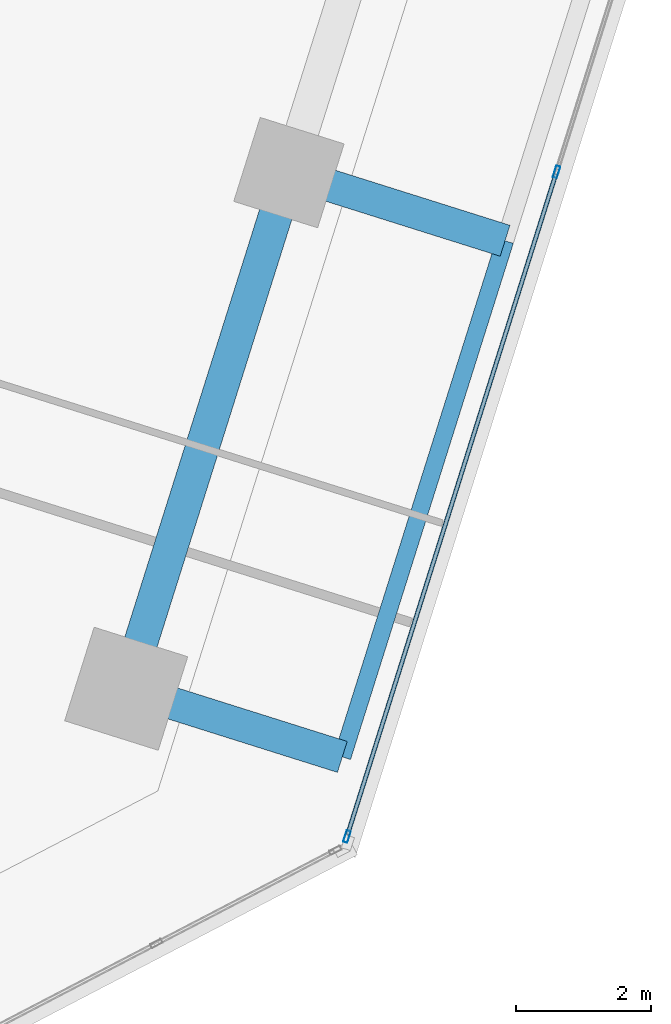
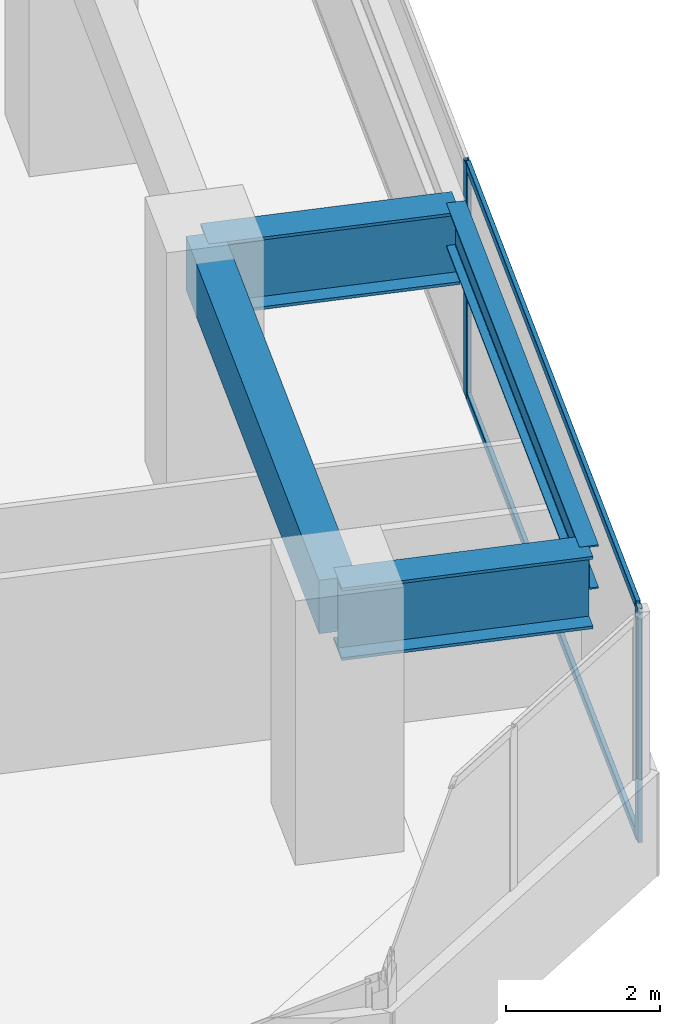
# One storey, part 9 of 28: 4 beams, 4 members, 1 element without a shape of its own.
"""IFC4 building model written with IfcOpenShell, lengths in metres."""

from ifc_helpers import new_model, si_unit, direction, frame, origin, origin_2d, place, context, subcontext, project, spatial, rectangle, hollow_rectangle, i_section, extrude, source, transform, mapped, material, material_profile, profile_set, type_object, element, aggregate, save


model = new_model("IFC4")

# Units and contexts
model_context = context("Model", 3, precision=1e-05, world=origin(), true_north=direction((0.0, 1.0)))
body_context = subcontext(model_context, "Body", "Model", "MODEL_VIEW")
ifc_project = project(units=[si_unit("LENGTHUNIT", "METRE"), si_unit("AREAUNIT", "SQUARE_METRE"), si_unit("VOLUMEUNIT", "CUBIC_METRE"), si_unit("PLANEANGLEUNIT", "RADIAN"), si_unit("MASSUNIT", "GRAM", prefix="KILO")], contexts=[model_context])

# Site, building, storey
site_placement = place(None, origin())
site = spatial("IfcSite", under=ifc_project, at=site_placement, CompositionType="ELEMENT")
building_placement = place(site_placement, origin())
building = spatial("IfcBuilding", under=site, at=building_placement, Name="Torre Montelarca", CompositionType="ELEMENT")
storey_placement = place(building_placement, frame((0.0, 0.0, 112.60009765625)))
storey = spatial("IfcBuildingStorey", under=building, at=storey_placement, Name="L25", CompositionType="ELEMENT", Elevation=112.60009765625)

# Beams
ifc_material_1 = material(Name="Concrete C55/67", Category="concrete")
ifc_material_profile_1 = material_profile(ifc_material_1, rectangle(XDim=0.5, YDim=0.85009765625, at=origin_2d()), Name="RCB500X850", Category="concrete")
ifc_profile_set_1 = profile_set([ifc_material_profile_1], Name="Concrete C55/67")
beam_type_1 = type_object("IfcBeamType", Name="BM-SP-RC850-EXT", PredefinedType="SPANDREL", material=ifc_profile_set_1)
shared_shape_1 = source(origin(), body_context, "Body", "SweptSolid", [
    extrude(rectangle(XDim=0.5, YDim=0.85009765625, at=origin_2d()), origin(), (0.0, 0.0, 1.0), 7.999755859375),
])
beam_1_placement = place(storey_placement, frame((55.8125, 12.793212890625, 3.534912109375), z_axis=(0.300694628035, 0.953720473027, 0.0), x_axis=(-0.953720473027, 0.300694628035, 0.0)))
element("IfcBeam", 1, at=beam_1_placement, inside=storey, type_object=beam_type_1, Name="L25 Grid Girder Y 24.0-32.0 at X=60.0", PredefinedType="SPANDREL", context=body_context, shape_type="MappedRepresentation", body=[
    mapped(shared_shape_1, transform((0.0, 0.0, 0.0), scale=1.0)),
])
ifc_material_2 = material(Name="Steel ASTM A572 Grade 50", Category="steel")
ifc_material_profile_2 = material_profile(ifc_material_2, i_section(OverallWidth=0.47998046875, OverallDepth=1.14990234375, WebThickness=0.02197265625, FlangeThickness=0.044921875, at=origin_2d()), Name="PG1150X480X22X45", Category="steel")
ifc_profile_set_2 = profile_set([ifc_material_profile_2], Name="Steel ASTM A572 Grade 50")
beam_type_2 = type_object("IfcBeamType", Name="BM-CG-PG1400-EXT", PredefinedType="USERDEFINED", material=ifc_profile_set_2)
shared_shape_2 = source(origin(), body_context, "Body", "SweptSolid", [
    extrude(i_section(OverallWidth=0.47998046875, OverallDepth=1.14990234375, WebThickness=0.02197265625, FlangeThickness=0.044921875, at=origin_2d()), origin(), (0.0, 0.0, 1.0), 3.349853515625),
])
beam_2_placement = place(storey_placement, frame((55.8125, 12.793212890625, 3.385009765625), z_axis=(0.953696046555, -0.3007720911, 0.0), x_axis=(0.3007720911, 0.953696046555, 0.0)))
element("IfcBeam", 2, at=beam_2_placement, inside=storey, type_object=beam_type_2, Name="L25 Sliding Tray Cantilever Girder East Y=24m (FLR)", ObjectType="CANTILEVER GIRDER", PredefinedType="USERDEFINED", context=body_context, shape_type="MappedRepresentation", body=[
    mapped(shared_shape_2, transform((0.0, 0.0, 0.0), scale=1.0)),
])
shared_shape_3 = source(origin(), body_context, "Body", "SweptSolid", [
    extrude(i_section(OverallWidth=0.47998046875, OverallDepth=1.14990234375, WebThickness=0.02197265625, FlangeThickness=0.044921875, at=origin_2d()), origin(), (0.0, 0.0, 1.0), 3.35009765625),
])
beam_3_placement = place(storey_placement, frame((58.218017578125, 20.4228515625, 3.385009765625), z_axis=(0.953723539206, -0.300684902786, 0.0), x_axis=(0.300684902786, 0.953723539206, 0.0)))
element("IfcBeam", 3, at=beam_3_placement, inside=storey, type_object=beam_type_2, Name="L25 Sliding Tray Cantilever Girder East Y=32m (FLR)", ObjectType="CANTILEVER GIRDER", PredefinedType="USERDEFINED", context=body_context, shape_type="MappedRepresentation", body=[
    mapped(shared_shape_3, transform((0.0, 0.0, 0.0), scale=1.0)),
])
ifc_material_3 = material(Name="Steel ASTM A992 Grade 50", Category="steel")
ifc_material_profile_3 = material_profile(ifc_material_3, i_section(OverallWidth=0.256103515625, OverallDepth=0.693115234375, WebThickness=0.014404296875, FlangeThickness=0.023681640625, FilletRadius=0.01806640625, at=origin_2d()), Name="W690X170", Category="steel")
ifc_profile_set_3 = profile_set([ifc_material_profile_3], Name="Steel ASTM A992 Grade 50")
beam_type_3 = type_object("IfcBeamType", Name="BM-G-W690-EXT", PredefinedType="BEAM", material=ifc_profile_set_3)
shared_shape_4 = source(origin(), body_context, "Body", "SweptSolid", [
    extrude(i_section(OverallWidth=0.256103515625, OverallDepth=0.693115234375, WebThickness=0.014404296875, FlangeThickness=0.023681640625, FilletRadius=0.01806640625, at=origin_2d()), origin(), (0.0, 0.0, 1.0), 8.000244140625),
])
beam_4_placement = place(storey_placement, frame((59.00732421875, 11.78564453125, 3.614013671875), z_axis=(0.300713634033, 0.953714480495, 0.0), x_axis=(-0.953714480495, 0.300713634033, 0.0)))
element("IfcBeam", 4, at=beam_4_placement, inside=storey, type_object=beam_type_3, Name="L25 Sliding Tray Edge Girder East 24-32m (FLR)", PredefinedType="BEAM", context=body_context, shape_type="MappedRepresentation", body=[
    mapped(shared_shape_4, transform((0.0, 0.0, 0.0), scale=1.0)),
])

# Curtain wall, members
ifc_material_4 = material(Name="Insulated low-E laminated glass", Category="glass")
curtain_wall_type = type_object("IfcCurtainWallType", Name="CW-SYS-Z1", PredefinedType="USERDEFINED", material=ifc_material_4)
curtain_wall_placement = place(storey_placement, origin())
curtain_wall = element("IfcCurtainWall", 5, at=curtain_wall_placement, inside=storey, type_object=curtain_wall_type, Name="L25 Curtain Wall Run CW-T3-L25-E06-B1", ObjectType="UNITISED GLAZING", PredefinedType="USERDEFINED")
ifc_material_5 = material(Name="Anodised aluminium AA 6063-T6", Category="aluminium")
ifc_material_profile_4 = material_profile(ifc_material_5, hollow_rectangle(XDim=0.06494140625, YDim=0.139892578125, WallThickness=0.00390625, InnerFilletRadius=0.00390625, OuterFilletRadius=0.008056640625, at=origin_2d()), Name="ALU65X140X4", Category="aluminium")
ifc_profile_set_4 = profile_set([ifc_material_profile_4], Name="Anodised aluminium AA 6063-T6")
member_type_1 = type_object("IfcMemberType", Name="CWT-ALU140", PredefinedType="USERDEFINED", material=ifc_profile_set_4)
shared_shape_5 = source(origin(), body_context, "Body", "SweptSolid", [
    extrude(hollow_rectangle(XDim=0.06494140625, YDim=0.139892578125, WallThickness=0.00390625, InnerFilletRadius=0.00390625, OuterFilletRadius=0.008056640625, at=origin_2d()), origin(), (0.0, 0.0, 1.0), 10.23681640625),
])
member_1_placement = place(storey_placement, frame((59.08642578125, 10.6396484375, 0.032470703125), z_axis=(0.300717008856, 0.953713416381, 0.0), x_axis=(-0.953713416381, 0.300717008856, 0.0)))
member_1 = element("IfcMember", 6, at=member_1_placement, type_object=member_type_1, Name="CW transom 1.1", ObjectType="TRANSOM", PredefinedType="USERDEFINED", context=body_context, shape_type="MappedRepresentation", body=[
    mapped(shared_shape_5, transform((0.0, 0.0, 0.0), scale=1.0)),
])
member_2_placement = place(storey_placement, frame((59.08642578125, 10.6396484375, 3.6875), z_axis=(0.300717008856, 0.953713416381, 0.0), x_axis=(-0.953713416381, 0.300717008856, 0.0)))
member_2 = element("IfcMember", 7, at=member_2_placement, type_object=member_type_1, Name="CW transom 1.2", ObjectType="TRANSOM", PredefinedType="USERDEFINED", context=body_context, shape_type="MappedRepresentation", body=[
    mapped(shared_shape_5, transform((0.0, 0.0, 0.0), scale=1.0)),
])
ifc_material_profile_5 = material_profile(ifc_material_5, hollow_rectangle(XDim=0.06494140625, YDim=0.179931640625, WallThickness=0.00390625, InnerFilletRadius=0.00390625, OuterFilletRadius=0.008056640625, at=origin_2d()), Name="ALU65X180X4", Category="aluminium")
ifc_profile_set_5 = profile_set([ifc_material_profile_5], Name="Anodised aluminium AA 6063-T6")
member_type_2 = type_object("IfcMemberType", Name="CWM-ALU180", PredefinedType="MULLION", material=ifc_profile_set_5)
shared_shape_6 = source(origin(), body_context, "Body", "SweptSolid", [
    extrude(hollow_rectangle(XDim=0.06494140625, YDim=0.179931640625, WallThickness=0.00390625, InnerFilletRadius=0.00390625, OuterFilletRadius=0.008056640625, at=origin_2d()), origin(), (0.0, 0.0, 1.0), 3.719970703125),
])
member_3_placement = place(storey_placement, frame((59.07666015625, 10.608642578125, 0.0), z_axis=(0.0, 0.0, 1.0), x_axis=(-0.95371704325, 0.300705506127, 0.0)))
member_3 = element("IfcMember", 8, at=member_3_placement, type_object=member_type_2, Name="CW mullion 1", PredefinedType="MULLION", context=body_context, shape_type="MappedRepresentation", body=[
    mapped(shared_shape_6, transform((0.0, 0.0, 0.0), scale=1.0)),
])
member_4_placement = place(storey_placement, frame((62.174560546875, 20.43359375, 0.0), z_axis=(0.0, 0.0, 1.0), x_axis=(-0.95371704325, 0.300705506127, 0.0)))
member_4 = element("IfcMember", 9, at=member_4_placement, type_object=member_type_2, Name="CW mullion 2", PredefinedType="MULLION", context=body_context, shape_type="MappedRepresentation", body=[
    mapped(shared_shape_6, transform((0.0, 0.0, 0.0), scale=1.0)),
])
aggregate(curtain_wall, [member_3, member_4, member_1, member_2])

save(model, "model.ifc")
